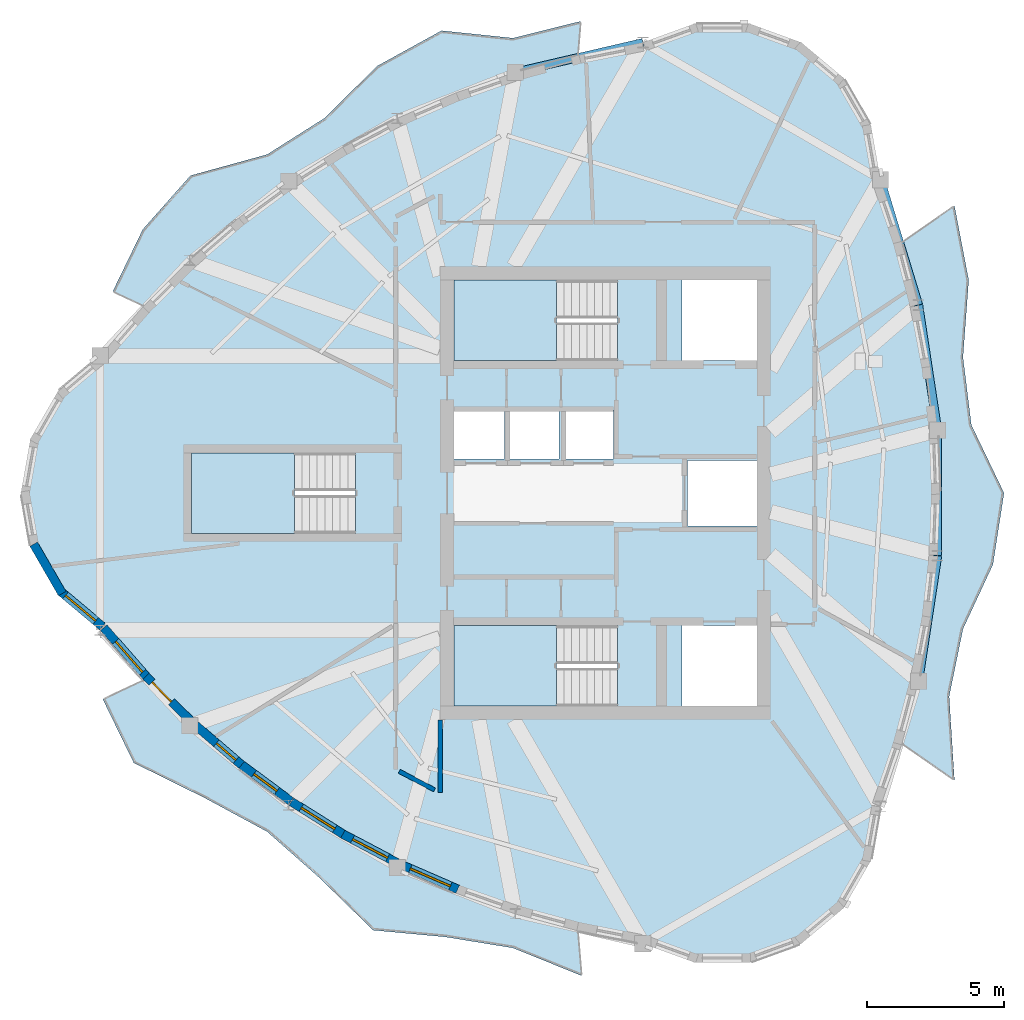
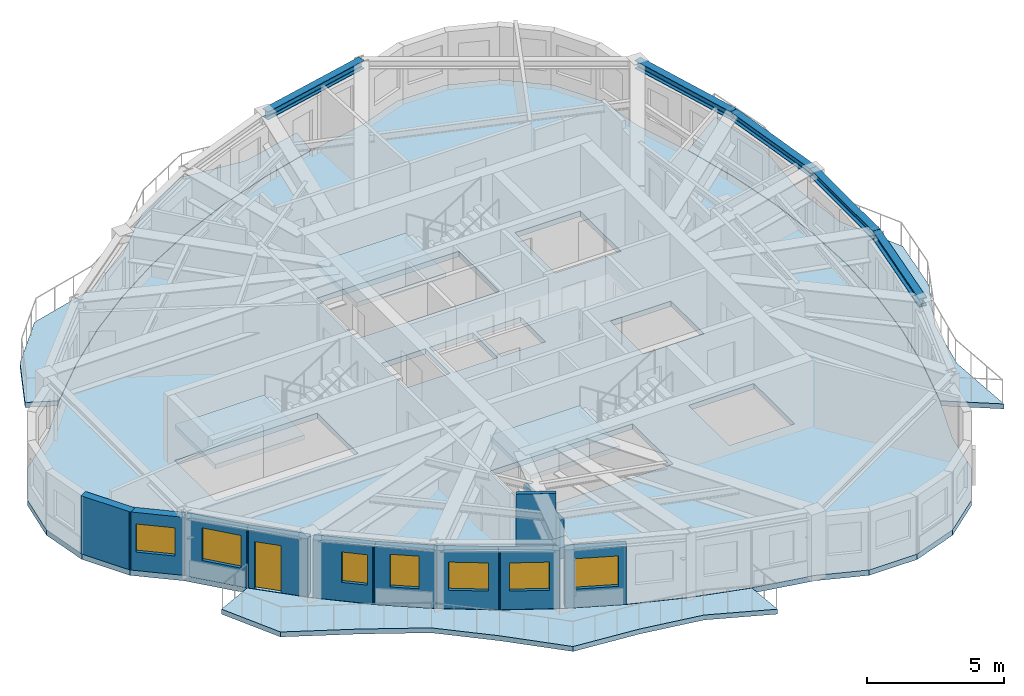
# One storey, part 2 of 11: 11 walls, 7 slabs, 7 windows, 5 beams, 1 door, 8 openings, 3 elements without a shape of their own.
"""IFC4 building model written with IfcOpenShell, lengths in metres."""

from ifc_helpers import new_model, si_unit, direction, frame, frame_2d, origin, origin_2d, place, context, subcontext, project, spatial, polyline, rectangle, i_section, outline, extrude, source, transform, mapped, material, layer, layer_set, material_profile, profile_set, type_object, element, fill, aggregate, save


model = new_model("IFC4")

# Units and contexts
model_context = context("Model", 3, precision=1e-05, world=origin(), true_north=direction((0.0, 1.0)))
body_context = subcontext(model_context, "Body", "Model", "MODEL_VIEW")
ifc_project = project(units=[si_unit("LENGTHUNIT", "METRE"), si_unit("AREAUNIT", "SQUARE_METRE"), si_unit("VOLUMEUNIT", "CUBIC_METRE"), si_unit("PLANEANGLEUNIT", "RADIAN"), si_unit("MASSUNIT", "GRAM", prefix="KILO")], contexts=[model_context])

# Site, building, storey
site_placement = place(None, origin())
site = spatial("IfcSite", under=ifc_project, at=site_placement, CompositionType="ELEMENT")
building_placement = place(site_placement, origin())
building = spatial("IfcBuilding", under=site, at=building_placement, Name="Qafzar Sky-Pleat Residences", CompositionType="ELEMENT")
storey_placement = place(building_placement, frame((0.0, 0.0, 221.199951171875)))
storey = spatial("IfcBuildingStorey", under=building, at=storey_placement, Name="L66", CompositionType="ELEMENT", Elevation=221.199951171875)

# Beams
ifc_material_1 = material(Name="Steel S355", Category="steel")
ifc_material_profile = material_profile(ifc_material_1, i_section(OverallWidth=0.300048828125, OverallDepth=0.360107421875, WebThickness=0.012451171875, FlangeThickness=0.0224609375, FilletRadius=0.027099609375, at=origin_2d()), Name="HEB 360")
ifc_profile_set = profile_set([ifc_material_profile], Name="Steel S355")
beam_type = type_object("IfcBeamType", Name="BM-SPAN-HEB360", PredefinedType="SPANDREL", material=ifc_profile_set)
shared_shape_1 = source(origin(), body_context, "Body", "SweptSolid", [
    extrude(i_section(OverallWidth=0.300048828125, OverallDepth=0.360107421875, WebThickness=0.012451171875, FlangeThickness=0.0224609375, FilletRadius=0.027099609375, at=origin_2d()), origin(), (0.0, 0.0, 1.0), 4.797119140625),
])
beam_1_placement = place(storey_placement, frame((41.8203125, 32.885009765625, 2.778076171875), z_axis=(-0.290847707489, 0.95676936147, 0.0), x_axis=(-0.95676936147, -0.290847707489, 0.0)))
element("IfcBeam", 1, at=beam_1_placement, inside=storey, type_object=beam_type, Name="L66 Perimeter Spandrel Beam 12", PredefinedType="SPANDREL", context=body_context, shape_type="MappedRepresentation", body=[
    mapped(shared_shape_1, transform((0.0, 0.0, 0.0), x_axis=(1.0, 0.0, 0.0), y_axis=(0.0, 1.0, 0.0), z_axis=(0.0, 0.0, 1.0), scale=1.0)),
])
shared_shape_2 = source(origin(), body_context, "Body", "SweptSolid", [
    extrude(i_section(OverallWidth=0.300048828125, OverallDepth=0.360107421875, WebThickness=0.012451171875, FlangeThickness=0.0224609375, FilletRadius=0.027099609375, at=origin_2d()), origin(), (0.0, 0.0, 1.0), 4.797607421875),
])
beam_2_placement = place(storey_placement, frame((31.72509765625, 42.497802734375, 2.778076171875), z_axis=(-0.974009854719, -0.226505635494, 0.0), x_axis=(0.226505635494, -0.974009854719, 0.0)))
element("IfcBeam", 2, at=beam_2_placement, inside=storey, type_object=beam_type, Name="L66 Perimeter Spandrel Beam 14", PredefinedType="SPANDREL", context=body_context, shape_type="MappedRepresentation", body=[
    mapped(shared_shape_2, transform((0.0, 0.0, 0.0), x_axis=(1.0, 0.0, 0.0), y_axis=(0.0, 1.0, 0.0), z_axis=(0.0, 0.0, 1.0), scale=1.0)),
])
shared_shape_3 = source(origin(), body_context, "Body", "SweptSolid", [
    extrude(i_section(OverallWidth=0.300048828125, OverallDepth=0.360107421875, WebThickness=0.012451171875, FlangeThickness=0.0224609375, FilletRadius=0.027099609375, at=origin_2d()), origin(), (0.0, 0.0, 1.0), 4.642822265625),
])
for number, where, z_axis, x_axis, name in (
    (3, (41.8203125, 19.114990234375, 2.778076171875), (0.150286694564, 0.988642457837, 0.0), (-0.988642457837, 0.150286694564, 0.0), "L66 Perimeter Spandrel Beam 9"),
    (4, (42.51806640625, 28.294921875, 2.778076171875), (-0.150286694564, 0.988642457837, 0.0), (-0.988642457837, -0.150286694564, 0.0), "L66 Perimeter Spandrel Beam 11"),
):
    element("IfcBeam", number, at=place(storey_placement, frame(where, z_axis=z_axis, x_axis=x_axis)), inside=storey, type_object=beam_type, Name=name, PredefinedType="SPANDREL", context=body_context, shape_type="MappedRepresentation", body=[
        mapped(shared_shape_3, transform((0.0, 0.0, 0.0), x_axis=(1.0, 0.0, 0.0), y_axis=(0.0, 1.0, 0.0), z_axis=(0.0, 0.0, 1.0), scale=1.0)),
    ])
shared_shape_4 = source(origin(), body_context, "Body", "SweptSolid", [
    extrude(i_section(OverallWidth=0.300048828125, OverallDepth=0.360107421875, WebThickness=0.012451171875, FlangeThickness=0.0224609375, FilletRadius=0.027099609375, at=origin_2d()), origin(), (0.0, 0.0, 1.0), 4.58984375),
])
beam_3_placement = place(storey_placement, frame((42.51806640625, 23.705078125, 2.778076171875), z_axis=(0.0, 1.0, 0.0), x_axis=(-1.0, 0.0, 0.0)))
element("IfcBeam", 5, at=beam_3_placement, inside=storey, type_object=beam_type, Name="L66 Perimeter Spandrel Beam 10", PredefinedType="SPANDREL", context=body_context, shape_type="MappedRepresentation", body=[
    mapped(shared_shape_4, transform((0.0, 0.0, 0.0), x_axis=(1.0, 0.0, 0.0), y_axis=(0.0, 1.0, 0.0), z_axis=(0.0, 0.0, 1.0), scale=1.0)),
])

# Slabs
ifc_material_2 = material(Name="Concrete C40/50", Category="concrete")
ifc_layer_1 = layer(ifc_material_2, 0.219970703125)
ifc_layer_set_1 = layer_set([ifc_layer_1], Name="Concrete C40/50")
slab_type_1 = type_object("IfcSlabType", Name="SLAB-BAL-220", PredefinedType="USERDEFINED", material=ifc_layer_set_1)
slab_1_placement = place(storey_placement, frame((0.0, 0.0, -0.219970703125)))
element("IfcSlab", 6, at=slab_1_placement, inside=storey, type_object=slab_type_1, Name="L66 Pleated Stone Balcony 1", ObjectType="BALCONY", PredefinedType="USERDEFINED", context=body_context, shape_type="SweptSolid", body=[
    extrude(outline(polyline([(41.8310546875, 19.109619140625), (42.267822265625, 21.406494140625), (42.52978515625, 23.703125), (42.6171875, 26.0), (42.52978515625, 28.296875), (42.267822265625, 30.593505859375), (41.8310546875, 32.890380859375), (41.2197265625, 35.186767578125), (43.1337890625, 36.516845703125), (43.6552734375, 33.799072265625), (43.4462890625, 30.972900390625), (43.752685546875, 28.490234375), (44.947998046875, 26.0), (44.54296875, 23.385009765625), (43.4462890625, 21.027099609375), (42.939208984375, 18.5576171875), (43.1337890625, 15.483154296875), (41.2197265625, 16.813232421875), (41.8310546875, 19.109619140625)])), origin(), (0.0, 0.0, 1.0), 0.219970703125),
])
slab_2_placement = place(storey_placement, frame((0.0, 0.0, -0.219970703125)))
element("IfcSlab", 7, at=slab_2_placement, inside=storey, type_object=slab_type_1, Name="L66 Pleated Stone Balcony 2", ObjectType="BALCONY", PredefinedType="USERDEFINED", context=body_context, shape_type="SweptSolid", body=[
    extrude(outline(polyline([(27.051513671875, 41.423095703125), (24.84423828125, 40.653076171875), (22.72412109375, 39.731689453125), (20.69140625, 38.658935546875), (18.74609375, 37.434814453125), (16.887939453125, 36.0595703125), (15.1171875, 34.532958984375), (13.43408203125, 32.855224609375), (12.314208984375, 33.382568359375), (13.418212890625, 35.658203125), (15.159912109375, 37.623779296875), (17.967041015625, 38.397216796875), (20.072509765625, 39.73095703125), (21.993408203125, 41.634033203125), (24.353515625, 42.931640625), (26.9755859375, 42.65869140625), (29.44970703125, 43.275634765625), (29.34619140625, 42.0419921875), (27.051513671875, 41.423095703125)])), origin(), (0.0, 0.0, 1.0), 0.219970703125),
])
slab_3_placement = place(storey_placement, frame((0.0, 0.0, -0.219970703125)))
element("IfcSlab", 8, at=slab_3_placement, inside=storey, type_object=slab_type_1, Name="L66 Pleated Stone Balcony 3", ObjectType="BALCONY", PredefinedType="USERDEFINED", context=body_context, shape_type="SweptSolid", body=[
    extrude(outline(polyline([(15.1171875, 17.467041015625), (16.887939453125, 15.9404296875), (18.74609375, 14.565185546875), (20.69140625, 13.341064453125), (22.72412109375, 12.268310546875), (24.84423828125, 11.346923828125), (27.051513671875, 10.576904296875), (29.34619140625, 9.9580078125), (29.483154296875, 8.32568359375), (26.9755859375, 9.34130859375), (24.49951171875, 9.74560546875), (21.849853515625, 9.99267578125), (19.872314453125, 11.922607421875), (17.967041015625, 13.602783203125), (15.673583984375, 14.84130859375), (13.084716796875, 16.120849609375), (11.9521484375, 18.447265625), (13.43408203125, 19.144775390625), (15.1171875, 17.467041015625)])), origin(), (0.0, 0.0, 1.0), 0.219970703125),
])
ifc_layer_2 = layer(ifc_material_2, 0.239990234375)
ifc_layer_set_2 = layer_set([ifc_layer_2], Name="Concrete C40/50")
slab_type_2 = type_object("IfcSlabType", Name="SLAB-FLR-240", PredefinedType="FLOOR", material=ifc_layer_set_2)
slab_4_placement = place(storey_placement, frame((0.0, 0.0, -0.239990234375)))
element("IfcSlab", 9, at=slab_4_placement, inside=storey, type_object=slab_type_2, Name="L66 Structural Floor Slab", PredefinedType="FLOOR", context=body_context, shape_type="SweptSolid", body=[
    extrude(outline(polyline([(11.85009765625, 31.02294921875), (10.306884765625, 29.728271484375), (9.2998046875, 27.983642578125), (8.949951171875, 26.0), (9.2998046875, 24.016357421875), (10.306884765625, 22.271728515625), (11.85009765625, 20.97705078125), (13.445068359375, 19.14990234375), (15.127197265625, 17.4736328125), (16.896728515625, 15.948486328125), (18.75341796875, 14.574462890625), (20.697509765625, 13.3515625), (22.728515625, 12.279541015625), (24.8466796875, 11.358642578125), (27.05224609375, 10.5888671875), (29.34521484375, 9.969970703125), (31.72509765625, 9.502197265625), (33.617919921875, 8.813232421875), (35.632080078125, 8.813232421875), (37.52490234375, 9.502197265625), (39.068115234375, 10.797119140625), (40.0751953125, 12.54150390625), (40.425048828125, 14.525146484375), (41.2099609375, 16.820068359375), (41.8203125, 19.114990234375), (42.25634765625, 21.41015625), (42.51806640625, 23.705078125), (42.605224609375, 26.0), (42.51806640625, 28.294921875), (42.25634765625, 30.58984375), (41.8203125, 32.885009765625), (41.2099609375, 35.179931640625), (40.425048828125, 37.474853515625), (40.0751953125, 39.45849609375), (39.068115234375, 41.202880859375), (37.52490234375, 42.497802734375), (35.632080078125, 43.186767578125), (33.617919921875, 43.186767578125), (31.72509765625, 42.497802734375), (29.34521484375, 42.030029296875), (27.05224609375, 41.4111328125), (24.8466796875, 40.641357421875), (22.728515625, 39.720458984375), (20.697509765625, 38.6484375), (18.75341796875, 37.425537109375), (16.896728515625, 36.051513671875), (15.127197265625, 34.5263671875), (13.445068359375, 32.85009765625), (11.85009765625, 31.02294921875)]), holes=[polyline([(30.797119140625, 21.14990234375), (24.800048828125, 21.14990234375), (24.800048828125, 18.199951171875), (30.797119140625, 18.199951171875), (30.797119140625, 21.14990234375)]), polyline([(30.797119140625, 33.800048828125), (24.800048828125, 33.800048828125), (24.800048828125, 30.85009765625), (30.797119140625, 30.85009765625), (30.797119140625, 33.800048828125)]), polyline([(21.197021484375, 27.47509765625), (15.199951171875, 27.47509765625), (15.199951171875, 24.52490234375), (21.197021484375, 24.52490234375), (21.197021484375, 27.47509765625)]), polyline([(24.800048828125, 27.25), (26.64990234375, 27.25), (26.64990234375, 29.050048828125), (24.800048828125, 29.050048828125), (24.800048828125, 27.25)]), polyline([(26.800048828125, 27.25), (28.64990234375, 27.25), (28.64990234375, 29.050048828125), (26.800048828125, 29.050048828125), (26.800048828125, 27.25)]), polyline([(28.800048828125, 27.25), (30.64990234375, 27.25), (30.64990234375, 29.050048828125), (28.800048828125, 29.050048828125), (28.800048828125, 27.25)]), polyline([(33.14990234375, 18.199951171875), (35.89990234375, 18.199951171875), (35.89990234375, 21.14990234375), (33.14990234375, 21.14990234375), (33.14990234375, 18.199951171875)]), polyline([(33.14990234375, 30.85009765625), (35.89990234375, 30.85009765625), (35.89990234375, 33.800048828125), (33.14990234375, 33.800048828125), (33.14990234375, 30.85009765625)]), polyline([(33.35009765625, 24.800048828125), (35.89990234375, 24.800048828125), (35.89990234375, 27.199951171875), (33.35009765625, 27.199951171875), (33.35009765625, 24.800048828125)])]), origin(), (0.0, 0.0, 1.0), 0.239990234375),
])

# Stair, slab
stair_type = type_object("IfcStairType", Name="STAIR-H320", PredefinedType="HALF_TURN_STAIR", material=ifc_material_2)
stair_1_placement = place(storey_placement, origin())
stair_1 = element("IfcStair", 10, at=stair_1_placement, inside=storey, type_object=stair_type, Name="L66 Protected Exit Stair ST1", PredefinedType="HALF_TURN_STAIR")
ifc_layer_3 = layer(ifc_material_2, 0.199951171875)
ifc_layer_set_3 = layer_set([ifc_layer_3], Name="Concrete C40/50")
slab_type_3 = type_object("IfcSlabType", Name="SLAB-LANDING-200", PredefinedType="LANDING", material=ifc_layer_set_3)
slab_5_placement = place(storey_placement, frame((0.0, 0.0, 1.400146484375)))
slab_5 = element("IfcSlab", 11, at=slab_5_placement, type_object=slab_type_3, Name="ST1 landing 1", PredefinedType="LANDING", context=body_context, shape_type="SweptSolid", body=[
    extrude(outline(polyline([(28.56005859375, 21.14990234375), (24.800048828125, 21.14990234375), (24.800048828125, 18.199951171875), (28.56005859375, 18.199951171875), (28.56005859375, 21.14990234375)])), origin(), (0.0, 0.0, 1.0), 0.199951171875),
])
aggregate(stair_1, [slab_5])

stair_2_placement = place(storey_placement, origin())
stair_2 = element("IfcStair", 12, at=stair_2_placement, inside=storey, type_object=stair_type, Name="L66 Protected Exit Stair ST2", PredefinedType="HALF_TURN_STAIR")
slab_6_placement = place(storey_placement, frame((0.0, 0.0, 1.400146484375)))
slab_6 = element("IfcSlab", 13, at=slab_6_placement, type_object=slab_type_3, Name="ST2 landing 1", PredefinedType="LANDING", context=body_context, shape_type="SweptSolid", body=[
    extrude(outline(polyline([(28.56005859375, 33.800048828125), (24.800048828125, 33.800048828125), (24.800048828125, 30.85009765625), (28.56005859375, 30.85009765625), (28.56005859375, 33.800048828125)])), origin(), (0.0, 0.0, 1.0), 0.199951171875),
])
aggregate(stair_2, [slab_6])

stair_3_placement = place(storey_placement, origin())
stair_3 = element("IfcStair", 14, at=stair_3_placement, inside=storey, type_object=stair_type, Name="L66 Protected Exit Stair ST3", PredefinedType="HALF_TURN_STAIR")
slab_7_placement = place(storey_placement, frame((0.0, 0.0, 1.400146484375)))
slab_7 = element("IfcSlab", 15, at=slab_7_placement, type_object=slab_type_3, Name="ST3 landing 1", PredefinedType="LANDING", context=body_context, shape_type="SweptSolid", body=[
    extrude(outline(polyline([(18.9599609375, 27.47509765625), (15.199951171875, 27.47509765625), (15.199951171875, 24.52490234375), (18.9599609375, 24.52490234375), (18.9599609375, 27.47509765625)])), origin(), (0.0, 0.0, 1.0), 0.199951171875),
])
aggregate(stair_3, [slab_7])

# Walls
ifc_material_3 = material(Name="Acoustic gypsum plasterboard partition", Category="gypsum")
ifc_layer_4 = layer(ifc_material_3, 0.159912109375)
ifc_layer_set_4 = layer_set([ifc_layer_4], Name="Acoustic gypsum plasterboard partition")
wall_type_1 = type_object("IfcWallType", Name="PART-COR-160", PredefinedType="PARTITIONING", material=ifc_layer_set_4)
wall_1_placement = place(storey_placement, frame((24.300048828125, 15.0419921875, 0.0), z_axis=(0.0, 0.0, 1.0), x_axis=(0.0, 1.0, 0.0)))
element("IfcWall", 16, at=wall_1_placement, inside=storey, type_object=wall_type_1, Name="L66 Partition Wall PART-L66-PW-021", PredefinedType="PARTITIONING", context=body_context, shape_type="SweptSolid", body=[
    extrude(rectangle(XDim=2.64990234375, YDim=0.159912109375, at=frame_2d((1.324951171875, 0.0))), origin(), (0.0, 0.0, 1.0), 1.72802734375),
])
wall_2_placement = place(storey_placement, frame((22.804443359375, 15.8125, 0.0), z_axis=(0.0, 0.0, 1.0), x_axis=(0.884396237216, -0.466736859052, 0.0)))
element("IfcWall", 17, at=wall_2_placement, inside=storey, type_object=wall_type_1, Name="L66 Partition Wall PART-L66-PW-024", PredefinedType="PARTITIONING", context=body_context, shape_type="SweptSolid", body=[
    extrude(rectangle(XDim=1.462646484375, YDim=0.159912109375, at=frame_2d((0.7314453125, 0.0))), origin(), (0.0, 0.0, 1.0), 2.9599609375),
])
ifc_material_4 = material(Name="Precast concrete C40/50 with honed Riyadh limestone", Category="concrete")
ifc_layer_5 = layer(ifc_material_4, 0.320068359375)
ifc_layer_set_5 = layer_set([ifc_layer_5], Name="Precast concrete C40/50 with honed Riyadh limestone")
wall_type_2 = type_object("IfcWallType", Name="WALL-EXT-320", PredefinedType="SOLIDWALL", material=ifc_layer_set_5)
wall_3_placement = place(storey_placement, frame((9.41943359375, 24.129150390625, 0.0), z_axis=(0.0, 0.0, 1.0), x_axis=(0.499995423472, -0.866028046028, 0.0)))
element("IfcWall", 18, at=wall_3_placement, inside=storey, type_object=wall_type_2, Name="L66 Limestone Facade Wall 5", PredefinedType="SOLIDWALL", context=body_context, shape_type="SweptSolid", body=[
    extrude(rectangle(XDim=2.09033203125, YDim=0.320068359375, at=frame_2d((1.045166015625, 0.0))), origin(), (0.0, 0.0, 1.0), 2.580078125),
])

# Wall, opening, window
wall_4_placement = place(storey_placement, frame((10.380615234375, 22.418701171875, 0.0), z_axis=(0.0, 0.0, 1.0), x_axis=(0.766099948115, -0.642721455608, 0.0)))
wall_4 = element("IfcWall", 19, at=wall_4_placement, inside=storey, type_object=wall_type_2, Name="L66 Limestone Facade Wall 6", PredefinedType="SOLIDWALL", context=body_context, shape_type="SweptSolid", body=[
    extrude(rectangle(XDim=2.0322265625, YDim=0.320068359375, at=frame_2d((1.01611328125, 0.0))), origin(), (0.0, 0.0, 1.0), 2.580078125),
])
opening_1_placement = place(wall_4_placement, frame((0.26123046875, 0.0, 0.820068359375)))
opening_1 = element("IfcOpeningElement", 20, at=opening_1_placement, cuts=wall_4, Name="Opening WN-15", PredefinedType="OPENING", context=body_context, shape_type="SweptSolid", body=[
    extrude(rectangle(XDim=1.449951171875, YDim=1.25, at=frame_2d((0.72509765625, 0.625))), frame((0.0, 0.169921875, 0.0), z_axis=(0.0, -1.0, 0.0), x_axis=(1.0, 0.0, 0.0)), (0.0, 0.0, 1.0), 0.340087890625),
])
ifc_material_5 = material(Name="Solar-control low-E glass in bronze aluminium frame", Category="glass")
window_type_1 = type_object("IfcWindowType", Name="WIN-15", PartitioningType="SINGLE_PANEL", PredefinedType="WINDOW", material=ifc_material_5)
shared_shape_5 = source(origin(), body_context, "Body", "SweptSolid", [
    extrude(rectangle(XDim=1.449951171875, YDim=1.25, at=frame_2d((0.72509765625, 0.625))), frame((0.0, 0.030029296875, 0.0), z_axis=(0.0, -1.0, 0.0), x_axis=(1.0, 0.0, 0.0)), (0.0, 0.0, 1.0), 0.06005859375),
])
window_1_placement = place(opening_1_placement, origin())
window_1 = element("IfcWindow", 21, at=window_1_placement, inside=storey, type_object=window_type_1, Name="L66 Punched Facade Window 06", OverallHeight=1.25, OverallWidth=1.449951171875, PartitioningType="SINGLE_PANEL", PredefinedType="WINDOW", context=body_context, shape_type="MappedRepresentation", body=[
    mapped(shared_shape_5, transform((0.0, 0.0, 0.0), x_axis=(1.0, 0.0, 0.0), y_axis=(0.0, 1.0, 0.0), z_axis=(0.0, 0.0, 1.0), scale=1.0)),
])
fill(opening_1, window_1)

wall_5_placement = place(storey_placement, frame((11.983642578125, 21.0673828125, 0.0), z_axis=(0.0, 0.0, 1.0), x_axis=(0.657577552216, -0.753386861328, 0.0)))
wall_5 = element("IfcWall", 22, at=wall_5_placement, inside=storey, type_object=wall_type_2, Name="L66 Limestone Facade Wall 7", PredefinedType="SOLIDWALL", context=body_context, shape_type="SweptSolid", body=[
    extrude(rectangle(XDim=2.443603515625, YDim=0.320068359375, at=frame_2d((1.2216796875, 0.0))), origin(), (0.0, 0.0, 1.0), 2.580078125),
])
opening_2_placement = place(wall_5_placement, frame((0.661865234375, 0.0, 0.820068359375)))
opening_2 = element("IfcOpeningElement", 23, at=opening_2_placement, cuts=wall_5, Name="Opening WN-03", PredefinedType="OPENING", context=body_context, shape_type="SweptSolid", body=[
    extrude(rectangle(XDim=1.5, YDim=1.449951171875, at=frame_2d((0.75, 0.72509765625))), frame((0.0, 0.169921875, 0.0), z_axis=(0.0, -1.0, 0.0), x_axis=(1.0, 0.0, 0.0)), (0.0, 0.0, 1.0), 0.340087890625),
])
window_type_2 = type_object("IfcWindowType", Name="WIN-03", PartitioningType="DOUBLE_PANEL_VERTICAL", PredefinedType="WINDOW", material=ifc_material_5)
shared_shape_6 = source(origin(), body_context, "Body", "SweptSolid", [
    extrude(rectangle(XDim=1.5, YDim=1.449951171875, at=frame_2d((0.75, 0.72509765625))), frame((0.0, 0.030029296875, 0.0), z_axis=(0.0, -1.0, 0.0), x_axis=(1.0, 0.0, 0.0)), (0.0, 0.0, 1.0), 0.06005859375),
])
window_2_placement = place(opening_2_placement, origin())
window_2 = element("IfcWindow", 24, at=window_2_placement, inside=storey, type_object=window_type_2, Name="L66 Punched Facade Window 07", OverallHeight=1.449951171875, OverallWidth=1.5, PartitioningType="SINGLE_PANEL", PredefinedType="WINDOW", context=body_context, shape_type="MappedRepresentation", body=[
    mapped(shared_shape_6, transform((0.0, 0.0, 0.0), x_axis=(1.0, 0.0, 0.0), y_axis=(0.0, 1.0, 0.0), z_axis=(0.0, 0.0, 1.0), scale=1.0)),
])
fill(opening_2, window_2)

# Wall, opening, door
wall_6_placement = place(storey_placement, frame((13.531005859375, 19.2900390625, 0.0), z_axis=(0.0, 0.0, 1.0), x_axis=(0.708419394795, -0.705791726417, 0.0)))
wall_6 = element("IfcWall", 25, at=wall_6_placement, inside=storey, type_object=wall_type_2, Name="L66 Limestone Facade Wall 8", PredefinedType="SOLIDWALL", context=body_context, shape_type="SweptSolid", body=[
    extrude(rectangle(XDim=2.32275390625, YDim=0.320068359375, at=frame_2d((1.161376953125, 0.0))), origin(), (0.0, 0.0, 1.0), 2.580078125),
])
opening_3_placement = place(wall_6_placement, frame((0.31298828125, 0.0, 0.0)))
opening_3 = element("IfcOpeningElement", 26, at=opening_3_placement, cuts=wall_6, Name="Opening ED-05", PredefinedType="OPENING", context=body_context, shape_type="SweptSolid", body=[
    extrude(rectangle(XDim=1.0, YDim=2.10009765625, at=frame_2d((0.5, 1.050048828125))), frame((0.0, 0.169921875, 0.0), z_axis=(0.0, -1.0, 0.0), x_axis=(1.0, 0.0, 0.0)), (0.0, 0.0, 1.0), 0.340087890625),
])
ifc_material_6 = material(Name="Glazed bronze aluminium door", Category="aluminium")
door_type = type_object("IfcDoorType", Name="DR-BAL-1000", OperationType="NOTDEFINED", PredefinedType="DOOR", material=ifc_material_6)
shared_shape_7 = source(origin(), body_context, "Body", "SweptSolid", [
    extrude(rectangle(XDim=1.0, YDim=2.10009765625, at=frame_2d((0.5, 1.050048828125))), frame((0.0, 0.02490234375, 0.0), z_axis=(0.0, -1.0, 0.0), x_axis=(1.0, 0.0, 0.0)), (0.0, 0.0, 1.0), 0.050048828125),
])
door_placement = place(opening_3_placement, origin())
door = element("IfcDoor", 27, at=door_placement, inside=storey, type_object=door_type, Name="L66 Glazed Balcony Door 3", OperationType="SINGLE_SWING_LEFT", OverallHeight=2.10009765625, OverallWidth=1.0, PredefinedType="DOOR", context=body_context, shape_type="MappedRepresentation", body=[
    mapped(shared_shape_7, transform((0.0, 0.0, 0.0), x_axis=(1.0, 0.0, 0.0), y_axis=(0.0, 1.0, 0.0), z_axis=(0.0, 0.0, 1.0), scale=1.0)),
])
fill(opening_3, door)

# Wall, opening, window
wall_7_placement = place(storey_placement, frame((15.2998046875, 17.5361328125, 0.0), z_axis=(0.0, 0.0, 1.0), x_axis=(0.757488333031, -0.652848700177, 0.0)))
wall_7 = element("IfcWall", 28, at=wall_7_placement, inside=storey, type_object=wall_type_2, Name="L66 Limestone Facade Wall 9", PredefinedType="SOLIDWALL", context=body_context, shape_type="SweptSolid", body=[
    extrude(rectangle(XDim=2.2841796875, YDim=0.320068359375, at=frame_2d((1.14208984375, 0.0))), origin(), (0.0, 0.0, 1.0), 2.580078125),
])
opening_4_placement = place(wall_7_placement, frame((1.06689453125, 0.0, 0.820068359375)))
opening_4 = element("IfcOpeningElement", 29, at=opening_4_placement, cuts=wall_7, Name="Opening WN-12", PredefinedType="OPENING", context=body_context, shape_type="SweptSolid", body=[
    extrude(rectangle(XDim=0.949951171875, YDim=1.35009765625, at=frame_2d((0.47509765625, 0.675048828125))), frame((0.0, 0.169921875, 0.0), z_axis=(0.0, -1.0, 0.0), x_axis=(1.0, 0.0, 0.0)), (0.0, 0.0, 1.0), 0.340087890625),
])
window_type_3 = type_object("IfcWindowType", Name="WIN-12", PartitioningType="SINGLE_PANEL", PredefinedType="WINDOW", material=ifc_material_5)
shared_shape_8 = source(origin(), body_context, "Body", "SweptSolid", [
    extrude(rectangle(XDim=0.949951171875, YDim=1.35009765625, at=frame_2d((0.47509765625, 0.675048828125))), frame((0.0, 0.030029296875, 0.0), z_axis=(0.0, -1.0, 0.0), x_axis=(1.0, 0.0, 0.0)), (0.0, 0.0, 1.0), 0.06005859375),
])
window_3_placement = place(opening_4_placement, origin())
window_3 = element("IfcWindow", 30, at=window_3_placement, inside=storey, type_object=window_type_3, Name="L66 Punched Facade Window 09-2", OverallHeight=1.35009765625, OverallWidth=0.949951171875, PartitioningType="SINGLE_PANEL", PredefinedType="WINDOW", context=body_context, shape_type="MappedRepresentation", body=[
    mapped(shared_shape_8, transform((0.0, 0.0, 0.0), x_axis=(1.0, 0.0, 0.0), y_axis=(0.0, 1.0, 0.0), z_axis=(0.0, 0.0, 1.0), scale=1.0)),
])
fill(opening_4, window_3)

wall_8_placement = place(storey_placement, frame((16.96142578125, 16.099853515625, 0.0), z_axis=(0.0, 0.0, 1.0), x_axis=(0.803809802043, -0.594886377504, 0.0)))
wall_8 = element("IfcWall", 31, at=wall_8_placement, inside=storey, type_object=wall_type_2, Name="L66 Limestone Facade Wall 10", PredefinedType="SOLIDWALL", context=body_context, shape_type="SweptSolid", body=[
    extrude(rectangle(XDim=2.327880859375, YDim=0.320068359375, at=frame_2d((1.1640625, 0.0))), origin(), (0.0, 0.0, 1.0), 2.580078125),
])
opening_5_placement = place(wall_8_placement, frame((0.64892578125, 0.0, 0.820068359375)))
opening_5 = element("IfcOpeningElement", 32, at=opening_5_placement, cuts=wall_8, Name="Opening WN-06", PredefinedType="OPENING", context=body_context, shape_type="SweptSolid", body=[
    extrude(rectangle(XDim=1.050048828125, YDim=1.449951171875, at=frame_2d((0.52490234375, 0.72509765625))), frame((0.0, 0.169921875, 0.0), z_axis=(0.0, -1.0, 0.0), x_axis=(1.0, 0.0, 0.0)), (0.0, 0.0, 1.0), 0.340087890625),
])
window_type_4 = type_object("IfcWindowType", Name="WIN-06", PartitioningType="SINGLE_PANEL", PredefinedType="WINDOW", material=ifc_material_5)
shared_shape_9 = source(origin(), body_context, "Body", "SweptSolid", [
    extrude(rectangle(XDim=1.050048828125, YDim=1.449951171875, at=frame_2d((0.52490234375, 0.72509765625))), frame((0.0, 0.030029296875, 0.0), z_axis=(0.0, -1.0, 0.0), x_axis=(1.0, 0.0, 0.0)), (0.0, 0.0, 1.0), 0.06005859375),
])
window_4_placement = place(opening_5_placement, origin())
window_4 = element("IfcWindow", 33, at=window_4_placement, inside=storey, type_object=window_type_4, Name="L66 Punched Facade Window 10", OverallHeight=1.449951171875, OverallWidth=1.050048828125, PartitioningType="SINGLE_PANEL", PredefinedType="WINDOW", context=body_context, shape_type="MappedRepresentation", body=[
    mapped(shared_shape_9, transform((0.0, 0.0, 0.0), x_axis=(1.0, 0.0, 0.0), y_axis=(0.0, 1.0, 0.0), z_axis=(0.0, 0.0, 1.0), scale=1.0)),
])
fill(opening_5, window_4)

wall_9_placement = place(storey_placement, frame((18.855712890625, 14.69921875, 0.0), z_axis=(0.0, 0.0, 1.0), x_axis=(0.846430078552, -0.532499879927, 0.0)))
wall_9 = element("IfcWall", 34, at=wall_9_placement, inside=storey, type_object=wall_type_2, Name="L66 Limestone Facade Wall 11", PredefinedType="SOLIDWALL", context=body_context, shape_type="SweptSolid", body=[
    extrude(rectangle(XDim=2.314453125, YDim=0.320068359375, at=frame_2d((1.1572265625, 0.0))), origin(), (0.0, 0.0, 1.0), 2.580078125),
])
opening_6_placement = place(wall_9_placement, frame((0.42236328125, 0.0, 0.820068359375)))
opening_6 = element("IfcOpeningElement", 35, at=opening_6_placement, cuts=wall_9, Name="Opening WN-15", PredefinedType="OPENING", context=body_context, shape_type="SweptSolid", body=[
    extrude(rectangle(XDim=1.449951171875, YDim=1.25, at=frame_2d((0.72509765625, 0.625))), frame((0.0, 0.169921875, 0.0), z_axis=(0.0, -1.0, 0.0), x_axis=(1.0, 0.0, 0.0)), (0.0, 0.0, 1.0), 0.340087890625),
])
window_5_placement = place(opening_6_placement, origin())
window_5 = element("IfcWindow", 36, at=window_5_placement, inside=storey, type_object=window_type_1, Name="L66 Punched Facade Window 11", OverallHeight=1.25, OverallWidth=1.449951171875, PartitioningType="SINGLE_PANEL", PredefinedType="WINDOW", context=body_context, shape_type="MappedRepresentation", body=[
    mapped(shared_shape_5, transform((0.0, 0.0, 0.0), x_axis=(1.0, 0.0, 0.0), y_axis=(0.0, 1.0, 0.0), z_axis=(0.0, 0.0, 1.0), scale=1.0)),
])
fill(opening_6, window_5)

wall_10_placement = place(storey_placement, frame((20.738525390625, 13.5107421875, 0.0), z_axis=(0.0, 0.0, 1.0), x_axis=(0.884400965922, -0.466727898754, 0.0)))
wall_10 = element("IfcWall", 37, at=wall_10_placement, inside=storey, type_object=wall_type_2, Name="L66 Limestone Facade Wall 12", PredefinedType="SOLIDWALL", context=body_context, shape_type="SweptSolid", body=[
    extrude(rectangle(XDim=2.24462890625, YDim=0.320068359375, at=frame_2d((1.122314453125, 0.0))), origin(), (0.0, 0.0, 1.0), 2.580078125),
])
opening_7_placement = place(wall_10_placement, frame((0.40234375, 0.0, 0.820068359375)))
opening_7 = element("IfcOpeningElement", 38, at=opening_7_placement, cuts=wall_10, Name="Opening WN-15", PredefinedType="OPENING", context=body_context, shape_type="SweptSolid", body=[
    extrude(rectangle(XDim=1.449951171875, YDim=1.25, at=frame_2d((0.72509765625, 0.625))), frame((0.0, 0.169921875, 0.0), z_axis=(0.0, -1.0, 0.0), x_axis=(1.0, 0.0, 0.0)), (0.0, 0.0, 1.0), 0.340087890625),
])
window_6_placement = place(opening_7_placement, origin())
window_6 = element("IfcWindow", 39, at=window_6_placement, inside=storey, type_object=window_type_1, Name="L66 Punched Facade Window 12", OverallHeight=1.25, OverallWidth=1.449951171875, PartitioningType="SINGLE_PANEL", PredefinedType="WINDOW", context=body_context, shape_type="MappedRepresentation", body=[
    mapped(shared_shape_5, transform((0.0, 0.0, 0.0), x_axis=(1.0, 0.0, 0.0), y_axis=(0.0, 1.0, 0.0), z_axis=(0.0, 0.0, 1.0), scale=1.0)),
])
fill(opening_7, window_6)

wall_11_placement = place(storey_placement, frame((22.874755859375, 12.390380859375, 0.0), z_axis=(0.0, 0.0, 1.0), x_axis=(0.917085527854, -0.398690524844, 0.0)))
wall_11 = element("IfcWall", 40, at=wall_11_placement, inside=storey, type_object=wall_type_2, Name="L66 Limestone Facade Wall 13", PredefinedType="SOLIDWALL", context=body_context, shape_type="SweptSolid", body=[
    extrude(rectangle(XDim=2.2578125, YDim=0.320068359375, at=frame_2d((1.12890625, 0.0))), origin(), (0.0, 0.0, 1.0), 2.580078125),
])
opening_8_placement = place(wall_11_placement, frame((0.364013671875, 0.0, 0.820068359375)))
opening_8 = element("IfcOpeningElement", 41, at=opening_8_placement, cuts=wall_11, Name="Opening WN-09", PredefinedType="OPENING", context=body_context, shape_type="SweptSolid", body=[
    extrude(rectangle(XDim=1.60009765625, YDim=1.35009765625, at=frame_2d((0.800048828125, 0.675048828125))), frame((0.0, 0.169921875, 0.0), z_axis=(0.0, -1.0, 0.0), x_axis=(1.0, 0.0, 0.0)), (0.0, 0.0, 1.0), 0.340087890625),
])
window_type_5 = type_object("IfcWindowType", Name="WIN-09", PartitioningType="DOUBLE_PANEL_VERTICAL", PredefinedType="WINDOW", material=ifc_material_5)
shared_shape_10 = source(origin(), body_context, "Body", "SweptSolid", [
    extrude(rectangle(XDim=1.60009765625, YDim=1.35009765625, at=frame_2d((0.800048828125, 0.675048828125))), frame((0.0, 0.030029296875, 0.0), z_axis=(0.0, -1.0, 0.0), x_axis=(1.0, 0.0, 0.0)), (0.0, 0.0, 1.0), 0.06005859375),
])
window_7_placement = place(opening_8_placement, origin())
window_7 = element("IfcWindow", 42, at=window_7_placement, inside=storey, type_object=window_type_5, Name="L66 Punched Facade Window 13", OverallHeight=1.35009765625, OverallWidth=1.60009765625, PartitioningType="SINGLE_PANEL", PredefinedType="WINDOW", context=body_context, shape_type="MappedRepresentation", body=[
    mapped(shared_shape_10, transform((0.0, 0.0, 0.0), x_axis=(1.0, 0.0, 0.0), y_axis=(0.0, 1.0, 0.0), z_axis=(0.0, 0.0, 1.0), scale=1.0)),
])
fill(opening_8, window_7)

save(model, "model.ifc")
